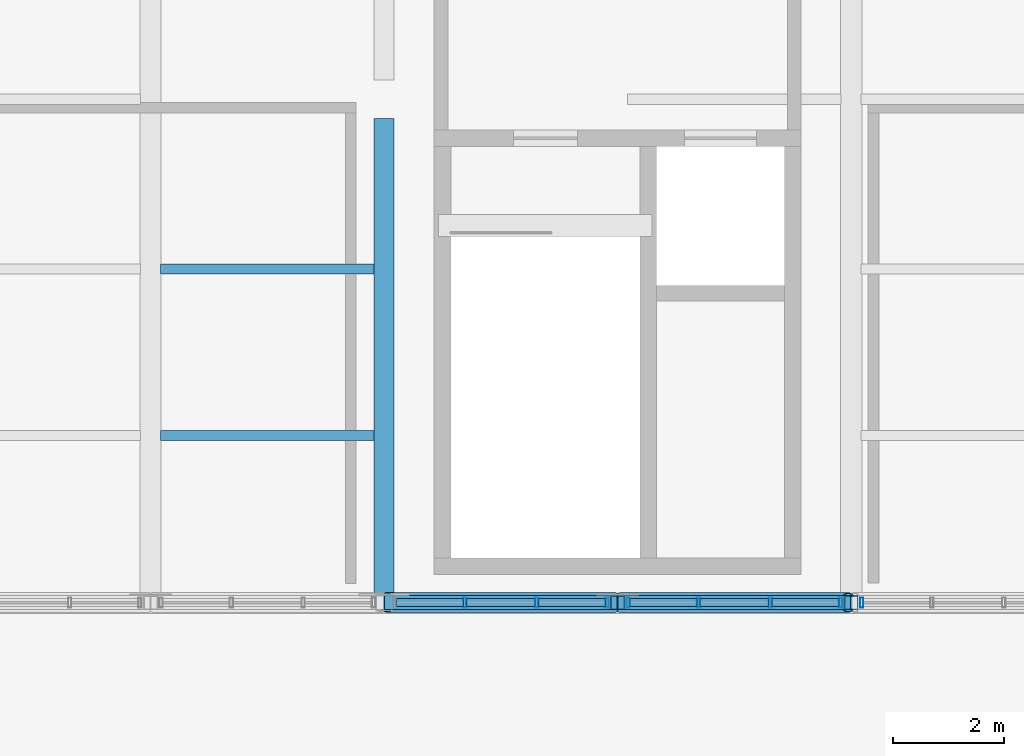
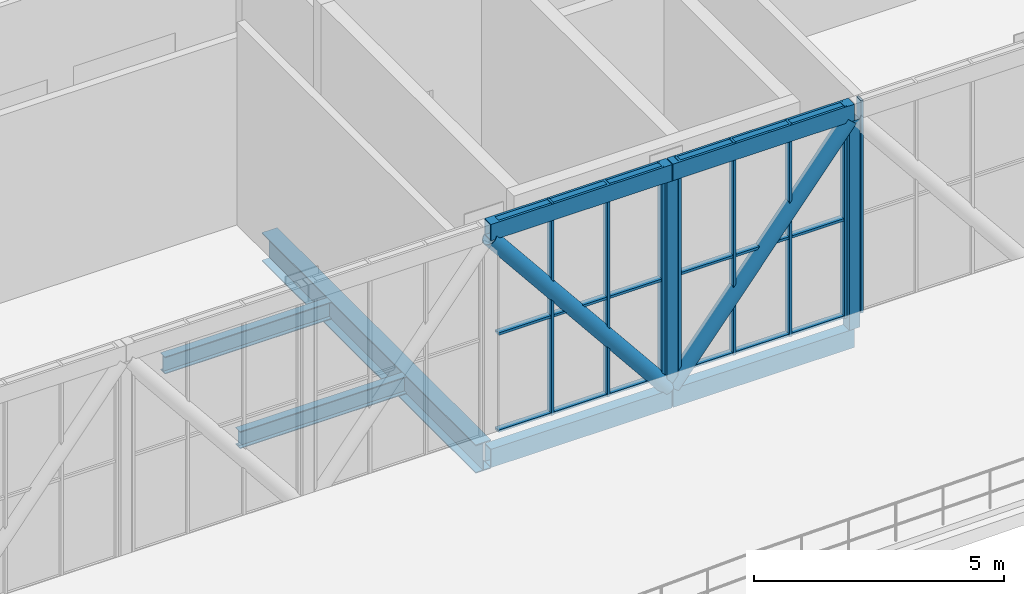
# One storey, part 18 of 58: 34 members, 3 beams, 3 elements without a shape of their own.
"""IFC4 building model written with IfcOpenShell, lengths in metres."""

from ifc_helpers import new_model, si_unit, direction, frame, origin, origin_2d, place, context, subcontext, project, spatial, hollow_rectangle, hollow_circle, i_section, extrude, material, material_profile, profile_set, type_object, element, aggregate, save


model = new_model("IFC4")

# Units and contexts
model_context = context("Model", 3, precision=1e-05, world=origin(), true_north=direction((0.0, 1.0)))
body_context = subcontext(model_context, "Body", "Model", "MODEL_VIEW")
ifc_project = project(units=[si_unit("LENGTHUNIT", "METRE"), si_unit("AREAUNIT", "SQUARE_METRE"), si_unit("VOLUMEUNIT", "CUBIC_METRE"), si_unit("PLANEANGLEUNIT", "RADIAN"), si_unit("MASSUNIT", "GRAM", prefix="KILO")], contexts=[model_context])

# Site, building, storey
site_placement = place(None, origin())
site = spatial("IfcSite", under=ifc_project, at=site_placement, CompositionType="ELEMENT")
building_placement = place(site_placement, origin())
building = spatial("IfcBuilding", under=site, at=building_placement, Name="Khurvash Pelagic Aquarium", CompositionType="ELEMENT")
storey_placement = place(building_placement, frame((0.0, 0.0, 24.60009765625)))
storey = spatial("IfcBuildingStorey", under=building, at=storey_placement, Name="L05", CompositionType="ELEMENT", Elevation=24.60009765625)

# Beam
ifc_material_1 = material(Name="Steel ASTM A992 Grade 50", Category="steel")
ifc_material_profile_1 = material_profile(ifc_material_1, i_section(OverallWidth=0.35595703125, OverallDepth=0.696044921875, WebThickness=0.015380859375, FlangeThickness=0.02490234375, at=origin_2d()), Name="W27X146")
ifc_profile_set_1 = profile_set([ifc_material_profile_1], Name="Steel ASTM A992 Grade 50")
beam_type_1 = type_object("IfcBeamType", Name="BM-09", PredefinedType="BEAM", material=ifc_profile_set_1)
beam_placement = place(storey_placement, frame((58.800048828125, 11.81005859375, -0.648193359375), z_axis=(0.0, 1.0, 0.0), x_axis=(-1.0, 0.0, 0.0)))
element("IfcBeam", 1, at=beam_placement, inside=storey, type_object=beam_type_1, Name="L05 Sky-Bar Transverse Floor Girder BM-09 N12", PredefinedType="BEAM", context=body_context, shape_type="SweptSolid", body=[
    extrude(i_section(OverallWidth=0.35595703125, OverallDepth=0.696044921875, WebThickness=0.015380859375, FlangeThickness=0.02490234375, at=origin_2d()), origin(), (0.0, 0.0, 1.0), 8.5400390625),
])

# Curtain wall, members
ifc_material_2 = material(Name="Anodised aluminium and low-E laminated glass", Category="aluminium")
curtain_wall_type = type_object("IfcCurtainWallType", Name="CW-01", PredefinedType="USERDEFINED", material=ifc_material_2)
curtain_wall_1_placement = place(storey_placement, origin())
curtain_wall_1 = element("IfcCurtainWall", 2, at=curtain_wall_1_placement, inside=storey, type_object=curtain_wall_type, Name="L05 South Sky-Bar Unitised Curtain Wall CW-01 P12", ObjectType="UNITISED CURTAIN WALL", PredefinedType="USERDEFINED")
ifc_material_3 = material(Name="Extruded aluminium AW-6063-T6", Category="aluminium")
ifc_material_profile_2 = material_profile(ifc_material_3, hollow_rectangle(XDim=0.06005859375, YDim=0.179931640625, WallThickness=0.00390625, at=origin_2d()), Name="CWM60X180X4")
ifc_profile_set_2 = profile_set([ifc_material_profile_2], Name="Extruded aluminium AW-6063-T6")
member_type_1 = type_object("IfcMemberType", Name="CM-01", PredefinedType="MULLION", material=ifc_profile_set_2)
member_1_placement = place(storey_placement, frame((60.25341796875, 11.64990234375, 0.0), z_axis=(0.0, 0.0, 1.0), x_axis=(1.0, 0.0, 0.0)))
member_1 = element("IfcMember", 3, at=member_1_placement, type_object=member_type_1, Name="CW-01 mullion 2", PredefinedType="MULLION", context=body_context, shape_type="SweptSolid", body=[
    extrude(hollow_rectangle(XDim=0.06005859375, YDim=0.179931640625, WallThickness=0.00390625, at=origin_2d()), origin(), (0.0, 0.0, 1.0), 5.179931640625),
])
member_2_placement = place(storey_placement, frame((61.546630859375, 11.64990234375, 0.0), z_axis=(0.0, 0.0, 1.0), x_axis=(1.0, 0.0, 0.0)))
member_2 = element("IfcMember", 4, at=member_2_placement, type_object=member_type_1, Name="CW-01 mullion 3", PredefinedType="MULLION", context=body_context, shape_type="SweptSolid", body=[
    extrude(hollow_rectangle(XDim=0.06005859375, YDim=0.179931640625, WallThickness=0.00390625, at=origin_2d()), origin(), (0.0, 0.0, 1.0), 5.179931640625),
])
member_3_placement = place(storey_placement, frame((62.81005859375, 11.64990234375, 0.0), z_axis=(0.0, 0.0, 1.0), x_axis=(1.0, 0.0, 0.0)))
member_3 = element("IfcMember", 5, at=member_3_placement, type_object=member_type_1, Name="CW-01 mullion 4", PredefinedType="MULLION", context=body_context, shape_type="SweptSolid", body=[
    extrude(hollow_rectangle(XDim=0.06005859375, YDim=0.179931640625, WallThickness=0.00390625, at=origin_2d()), origin(), (0.0, 0.0, 1.0), 5.179931640625),
])

curtain_wall_2_placement = place(storey_placement, origin())
curtain_wall_2 = element("IfcCurtainWall", 6, at=curtain_wall_2_placement, inside=storey, type_object=curtain_wall_type, Name="L05 South Sky-Bar Unitised Curtain Wall CW-01 P13", ObjectType="UNITISED CURTAIN WALL", PredefinedType="USERDEFINED")
member_4_placement = place(storey_placement, frame((63.18994140625, 11.64990234375, 0.0), z_axis=(0.0, 0.0, 1.0), x_axis=(1.0, 0.0, 0.0)))
member_4 = element("IfcMember", 7, at=member_4_placement, type_object=member_type_1, Name="CW-01 mullion 1", PredefinedType="MULLION", context=body_context, shape_type="SweptSolid", body=[
    extrude(hollow_rectangle(XDim=0.06005859375, YDim=0.179931640625, WallThickness=0.00390625, at=origin_2d()), origin(), (0.0, 0.0, 1.0), 5.179931640625),
])
member_5_placement = place(storey_placement, frame((64.453369140625, 11.64990234375, 0.0), z_axis=(0.0, 0.0, 1.0), x_axis=(1.0, 0.0, 0.0)))
member_5 = element("IfcMember", 8, at=member_5_placement, type_object=member_type_1, Name="CW-01 mullion 2", PredefinedType="MULLION", context=body_context, shape_type="SweptSolid", body=[
    extrude(hollow_rectangle(XDim=0.06005859375, YDim=0.179931640625, WallThickness=0.00390625, at=origin_2d()), origin(), (0.0, 0.0, 1.0), 5.179931640625),
])
member_6_placement = place(storey_placement, frame((65.74658203125, 11.64990234375, 0.0), z_axis=(0.0, 0.0, 1.0), x_axis=(1.0, 0.0, 0.0)))
member_6 = element("IfcMember", 9, at=member_6_placement, type_object=member_type_1, Name="CW-01 mullion 3", PredefinedType="MULLION", context=body_context, shape_type="SweptSolid", body=[
    extrude(hollow_rectangle(XDim=0.06005859375, YDim=0.179931640625, WallThickness=0.00390625, at=origin_2d()), origin(), (0.0, 0.0, 1.0), 5.179931640625),
])
member_7_placement = place(storey_placement, frame((67.010009765625, 11.64990234375, 0.0), z_axis=(0.0, 0.0, 1.0), x_axis=(1.0, 0.0, 0.0)))
member_7 = element("IfcMember", 10, at=member_7_placement, type_object=member_type_1, Name="CW-01 mullion 4", PredefinedType="MULLION", context=body_context, shape_type="SweptSolid", body=[
    extrude(hollow_rectangle(XDim=0.06005859375, YDim=0.179931640625, WallThickness=0.00390625, at=origin_2d()), origin(), (0.0, 0.0, 1.0), 5.179931640625),
])

# Curtain wall, member
curtain_wall_3_placement = place(storey_placement, origin())
curtain_wall_3 = element("IfcCurtainWall", 11, at=curtain_wall_3_placement, inside=storey, type_object=curtain_wall_type, Name="L05 South Sky-Bar Unitised Curtain Wall CW-01 P14", ObjectType="UNITISED CURTAIN WALL", PredefinedType="USERDEFINED")
member_8_placement = place(storey_placement, frame((67.389892578125, 11.64990234375, 0.0), z_axis=(0.0, 0.0, 1.0), x_axis=(1.0, 0.0, 0.0)))
member_8 = element("IfcMember", 12, at=member_8_placement, type_object=member_type_1, Name="CW-01 mullion 1", PredefinedType="MULLION", context=body_context, shape_type="SweptSolid", body=[
    extrude(hollow_rectangle(XDim=0.06005859375, YDim=0.179931640625, WallThickness=0.00390625, at=origin_2d()), origin(), (0.0, 0.0, 1.0), 5.179931640625),
])
aggregate(curtain_wall_3, [member_8])

# Member
ifc_material_profile_3 = material_profile(ifc_material_3, hollow_rectangle(XDim=0.139892578125, YDim=0.06005859375, WallThickness=0.00390625, at=origin_2d()), Name="CWT140X60X4")
ifc_profile_set_3 = profile_set([ifc_material_profile_3], Name="Extruded aluminium AW-6063-T6")
member_type_2 = type_object("IfcMemberType", Name="CT-01", PredefinedType="USERDEFINED", material=ifc_profile_set_3)
member_9_placement = place(storey_placement, frame((59.02001953125, 11.64990234375, 0.02978515625), z_axis=(1.0, 0.0, 0.0), x_axis=(0.0, 1.0, 0.0)))
member_9 = element("IfcMember", 13, at=member_9_placement, type_object=member_type_2, Name="CW-01 transom 1.1", ObjectType="TRANSOM", PredefinedType="USERDEFINED", context=body_context, shape_type="SweptSolid", body=[
    extrude(hollow_rectangle(XDim=0.139892578125, YDim=0.06005859375, WallThickness=0.00390625, at=origin_2d()), origin(), (0.0, 0.0, 1.0), 1.203369140625),
])

member_10_placement = place(storey_placement, frame((59.02001953125, 11.64990234375, 2.39990234375), z_axis=(1.0, 0.0, 0.0), x_axis=(0.0, 1.0, 0.0)))
member_10 = element("IfcMember", 14, at=member_10_placement, type_object=member_type_2, Name="CW-01 transom 1.2", ObjectType="TRANSOM", PredefinedType="USERDEFINED", context=body_context, shape_type="SweptSolid", body=[
    extrude(hollow_rectangle(XDim=0.139892578125, YDim=0.06005859375, WallThickness=0.00390625, at=origin_2d()), origin(), (0.0, 0.0, 1.0), 1.203369140625),
])

member_11_placement = place(storey_placement, frame((59.02001953125, 11.64990234375, 5.14990234375), z_axis=(1.0, 0.0, 0.0), x_axis=(0.0, 1.0, 0.0)))
member_11 = element("IfcMember", 15, at=member_11_placement, type_object=member_type_2, Name="CW-01 transom 1.3", ObjectType="TRANSOM", PredefinedType="USERDEFINED", context=body_context, shape_type="SweptSolid", body=[
    extrude(hollow_rectangle(XDim=0.139892578125, YDim=0.06005859375, WallThickness=0.00390625, at=origin_2d()), origin(), (0.0, 0.0, 1.0), 1.203369140625),
])

member_12_placement = place(storey_placement, frame((60.283447265625, 11.64990234375, 0.02978515625), z_axis=(1.0, 0.0, 0.0), x_axis=(0.0, 1.0, 0.0)))
member_12 = element("IfcMember", 16, at=member_12_placement, type_object=member_type_2, Name="CW-01 transom 2.1", ObjectType="TRANSOM", PredefinedType="USERDEFINED", context=body_context, shape_type="SweptSolid", body=[
    extrude(hollow_rectangle(XDim=0.139892578125, YDim=0.06005859375, WallThickness=0.00390625, at=origin_2d()), origin(), (0.0, 0.0, 1.0), 1.233154296875),
])

member_13_placement = place(storey_placement, frame((60.283447265625, 11.64990234375, 2.39990234375), z_axis=(1.0, 0.0, 0.0), x_axis=(0.0, 1.0, 0.0)))
member_13 = element("IfcMember", 17, at=member_13_placement, type_object=member_type_2, Name="CW-01 transom 2.2", ObjectType="TRANSOM", PredefinedType="USERDEFINED", context=body_context, shape_type="SweptSolid", body=[
    extrude(hollow_rectangle(XDim=0.139892578125, YDim=0.06005859375, WallThickness=0.00390625, at=origin_2d()), origin(), (0.0, 0.0, 1.0), 1.233154296875),
])

member_14_placement = place(storey_placement, frame((60.283447265625, 11.64990234375, 5.14990234375), z_axis=(1.0, 0.0, 0.0), x_axis=(0.0, 1.0, 0.0)))
member_14 = element("IfcMember", 18, at=member_14_placement, type_object=member_type_2, Name="CW-01 transom 2.3", ObjectType="TRANSOM", PredefinedType="USERDEFINED", context=body_context, shape_type="SweptSolid", body=[
    extrude(hollow_rectangle(XDim=0.139892578125, YDim=0.06005859375, WallThickness=0.00390625, at=origin_2d()), origin(), (0.0, 0.0, 1.0), 1.233154296875),
])

member_15_placement = place(storey_placement, frame((61.57666015625, 11.64990234375, 0.02978515625), z_axis=(1.0, 0.0, 0.0), x_axis=(0.0, 1.0, 0.0)))
member_15 = element("IfcMember", 19, at=member_15_placement, type_object=member_type_2, Name="CW-01 transom 3.1", ObjectType="TRANSOM", PredefinedType="USERDEFINED", context=body_context, shape_type="SweptSolid", body=[
    extrude(hollow_rectangle(XDim=0.139892578125, YDim=0.06005859375, WallThickness=0.00390625, at=origin_2d()), origin(), (0.0, 0.0, 1.0), 1.203369140625),
])

member_16_placement = place(storey_placement, frame((61.57666015625, 11.64990234375, 2.39990234375), z_axis=(1.0, 0.0, 0.0), x_axis=(0.0, 1.0, 0.0)))
member_16 = element("IfcMember", 20, at=member_16_placement, type_object=member_type_2, Name="CW-01 transom 3.2", ObjectType="TRANSOM", PredefinedType="USERDEFINED", context=body_context, shape_type="SweptSolid", body=[
    extrude(hollow_rectangle(XDim=0.139892578125, YDim=0.06005859375, WallThickness=0.00390625, at=origin_2d()), origin(), (0.0, 0.0, 1.0), 1.203369140625),
])

member_17_placement = place(storey_placement, frame((61.57666015625, 11.64990234375, 5.14990234375), z_axis=(1.0, 0.0, 0.0), x_axis=(0.0, 1.0, 0.0)))
member_17 = element("IfcMember", 21, at=member_17_placement, type_object=member_type_2, Name="CW-01 transom 3.3", ObjectType="TRANSOM", PredefinedType="USERDEFINED", context=body_context, shape_type="SweptSolid", body=[
    extrude(hollow_rectangle(XDim=0.139892578125, YDim=0.06005859375, WallThickness=0.00390625, at=origin_2d()), origin(), (0.0, 0.0, 1.0), 1.203369140625),
])

aggregate(curtain_wall_1, [member_1, member_2, member_3, member_9, member_10, member_11, member_12, member_13, member_14, member_15, member_16, member_17])

member_18_placement = place(storey_placement, frame((63.219970703125, 11.64990234375, 0.02978515625), z_axis=(1.0, 0.0, 0.0), x_axis=(0.0, 1.0, 0.0)))
member_18 = element("IfcMember", 22, at=member_18_placement, type_object=member_type_2, Name="CW-01 transom 1.1", ObjectType="TRANSOM", PredefinedType="USERDEFINED", context=body_context, shape_type="SweptSolid", body=[
    extrude(hollow_rectangle(XDim=0.139892578125, YDim=0.06005859375, WallThickness=0.00390625, at=origin_2d()), origin(), (0.0, 0.0, 1.0), 1.203369140625),
])

member_19_placement = place(storey_placement, frame((63.219970703125, 11.64990234375, 2.39990234375), z_axis=(1.0, 0.0, 0.0), x_axis=(0.0, 1.0, 0.0)))
member_19 = element("IfcMember", 23, at=member_19_placement, type_object=member_type_2, Name="CW-01 transom 1.2", ObjectType="TRANSOM", PredefinedType="USERDEFINED", context=body_context, shape_type="SweptSolid", body=[
    extrude(hollow_rectangle(XDim=0.139892578125, YDim=0.06005859375, WallThickness=0.00390625, at=origin_2d()), origin(), (0.0, 0.0, 1.0), 1.203369140625),
])

member_20_placement = place(storey_placement, frame((63.219970703125, 11.64990234375, 5.14990234375), z_axis=(1.0, 0.0, 0.0), x_axis=(0.0, 1.0, 0.0)))
member_20 = element("IfcMember", 24, at=member_20_placement, type_object=member_type_2, Name="CW-01 transom 1.3", ObjectType="TRANSOM", PredefinedType="USERDEFINED", context=body_context, shape_type="SweptSolid", body=[
    extrude(hollow_rectangle(XDim=0.139892578125, YDim=0.06005859375, WallThickness=0.00390625, at=origin_2d()), origin(), (0.0, 0.0, 1.0), 1.203369140625),
])

member_21_placement = place(storey_placement, frame((64.4833984375, 11.64990234375, 0.02978515625), z_axis=(1.0, 0.0, 0.0), x_axis=(0.0, 1.0, 0.0)))
member_21 = element("IfcMember", 25, at=member_21_placement, type_object=member_type_2, Name="CW-01 transom 2.1", ObjectType="TRANSOM", PredefinedType="USERDEFINED", context=body_context, shape_type="SweptSolid", body=[
    extrude(hollow_rectangle(XDim=0.139892578125, YDim=0.06005859375, WallThickness=0.00390625, at=origin_2d()), origin(), (0.0, 0.0, 1.0), 1.233154296875),
])

member_22_placement = place(storey_placement, frame((64.4833984375, 11.64990234375, 2.39990234375), z_axis=(1.0, 0.0, 0.0), x_axis=(0.0, 1.0, 0.0)))
member_22 = element("IfcMember", 26, at=member_22_placement, type_object=member_type_2, Name="CW-01 transom 2.2", ObjectType="TRANSOM", PredefinedType="USERDEFINED", context=body_context, shape_type="SweptSolid", body=[
    extrude(hollow_rectangle(XDim=0.139892578125, YDim=0.06005859375, WallThickness=0.00390625, at=origin_2d()), origin(), (0.0, 0.0, 1.0), 1.233154296875),
])

member_23_placement = place(storey_placement, frame((64.4833984375, 11.64990234375, 5.14990234375), z_axis=(1.0, 0.0, 0.0), x_axis=(0.0, 1.0, 0.0)))
member_23 = element("IfcMember", 27, at=member_23_placement, type_object=member_type_2, Name="CW-01 transom 2.3", ObjectType="TRANSOM", PredefinedType="USERDEFINED", context=body_context, shape_type="SweptSolid", body=[
    extrude(hollow_rectangle(XDim=0.139892578125, YDim=0.06005859375, WallThickness=0.00390625, at=origin_2d()), origin(), (0.0, 0.0, 1.0), 1.233154296875),
])

member_24_placement = place(storey_placement, frame((65.776611328125, 11.64990234375, 0.02978515625), z_axis=(1.0, 0.0, 0.0), x_axis=(0.0, 1.0, 0.0)))
member_24 = element("IfcMember", 28, at=member_24_placement, type_object=member_type_2, Name="CW-01 transom 3.1", ObjectType="TRANSOM", PredefinedType="USERDEFINED", context=body_context, shape_type="SweptSolid", body=[
    extrude(hollow_rectangle(XDim=0.139892578125, YDim=0.06005859375, WallThickness=0.00390625, at=origin_2d()), origin(), (0.0, 0.0, 1.0), 1.203369140625),
])

member_25_placement = place(storey_placement, frame((65.776611328125, 11.64990234375, 2.39990234375), z_axis=(1.0, 0.0, 0.0), x_axis=(0.0, 1.0, 0.0)))
member_25 = element("IfcMember", 29, at=member_25_placement, type_object=member_type_2, Name="CW-01 transom 3.2", ObjectType="TRANSOM", PredefinedType="USERDEFINED", context=body_context, shape_type="SweptSolid", body=[
    extrude(hollow_rectangle(XDim=0.139892578125, YDim=0.06005859375, WallThickness=0.00390625, at=origin_2d()), origin(), (0.0, 0.0, 1.0), 1.203369140625),
])

member_26_placement = place(storey_placement, frame((65.776611328125, 11.64990234375, 5.14990234375), z_axis=(1.0, 0.0, 0.0), x_axis=(0.0, 1.0, 0.0)))
member_26 = element("IfcMember", 30, at=member_26_placement, type_object=member_type_2, Name="CW-01 transom 3.3", ObjectType="TRANSOM", PredefinedType="USERDEFINED", context=body_context, shape_type="SweptSolid", body=[
    extrude(hollow_rectangle(XDim=0.139892578125, YDim=0.06005859375, WallThickness=0.00390625, at=origin_2d()), origin(), (0.0, 0.0, 1.0), 1.203369140625),
])

aggregate(curtain_wall_2, [member_4, member_5, member_6, member_7, member_18, member_19, member_20, member_21, member_22, member_23, member_24, member_25, member_26])

# Beams
ifc_material_profile_4 = material_profile(ifc_material_1, i_section(OverallWidth=0.180908203125, OverallDepth=0.4169921875, WebThickness=0.010986328125, FlangeThickness=0.018310546875, at=origin_2d()), Name="W16X57")
ifc_profile_set_4 = profile_set([ifc_material_profile_4], Name="Steel ASTM A992 Grade 50")
beam_type_2 = type_object("IfcBeamType", Name="JS-03", PredefinedType="JOIST", material=ifc_profile_set_4)
for number, where, z_axis, x_axis, name in (
    (31, (54.780029296875, 14.64990234375, -0.508544921875), (1.0, 0.0, 0.0), (0.0, 1.0, 0.0), "L05 Sky-Bar Floor Joist JS-03 P11"),
    (32, (54.780029296875, 17.64990234375, -0.508544921875), (1.0, 0.0, 0.0), (0.0, 1.0, 0.0), "L05 Sky-Bar Floor Joist JS-03 P11"),
):
    element("IfcBeam", number, at=place(storey_placement, frame(where, z_axis=z_axis, x_axis=x_axis)), inside=storey, type_object=beam_type_2, Name=name, PredefinedType="JOIST", context=body_context, shape_type="SweptSolid", body=[
        extrude(i_section(OverallWidth=0.180908203125, OverallDepth=0.4169921875, WebThickness=0.010986328125, FlangeThickness=0.018310546875, at=origin_2d()), origin(), (0.0, 0.0, 1.0), 3.840087890625),
    ])

# Members
ifc_material_4 = material(Name="Steel S355J2", Category="steel")
ifc_material_profile_5 = material_profile(ifc_material_4, hollow_rectangle(XDim=0.25, YDim=0.449951171875, WallThickness=0.02001953125, at=origin_2d()), Name="RHS450X250X20")
ifc_profile_set_5 = profile_set([ifc_material_profile_5], Name="Steel S355J2")
member_type_3 = type_object("IfcMemberType", Name="TC-01", PredefinedType="CHORD", material=ifc_profile_set_5)
for number, where, z_axis, x_axis, name in (
    (33, (58.81005859375, 11.64990234375, -0.525146484375), (1.0, 0.0, 0.0), (0.0, 1.0, 0.0), "L05 South Sky-Bar Warren Truss Bottom Chord TC-01 P12"),
    (34, (63.010009765625, 11.64990234375, -0.525146484375), (1.0, 0.0, 0.0), (0.0, 1.0, 0.0), "L05 South Sky-Bar Warren Truss Bottom Chord TC-01 P13"),
):
    element("IfcMember", number, at=place(storey_placement, frame(where, z_axis=z_axis, x_axis=x_axis)), inside=storey, type_object=member_type_3, Name=name, PredefinedType="CHORD", context=body_context, shape_type="SweptSolid", body=[
        extrude(hollow_rectangle(XDim=0.25, YDim=0.449951171875, WallThickness=0.02001953125, at=origin_2d()), origin(), (0.0, 0.0, 1.0), 4.179931640625),
    ])
ifc_material_profile_6 = material_profile(ifc_material_4, hollow_rectangle(XDim=0.25, YDim=0.39990234375, WallThickness=0.01611328125, at=origin_2d()), Name="RHS400X250X16")
ifc_profile_set_6 = profile_set([ifc_material_profile_6], Name="Steel S355J2")
member_type_4 = type_object("IfcMemberType", Name="TC-02", PredefinedType="CHORD", material=ifc_profile_set_6)
for number, where, z_axis, x_axis, name in (
    (35, (58.81005859375, 11.64990234375, 4.97998046875), (1.0, 0.0, 0.0), (0.0, 1.0, 0.0), "L05 South Sky-Bar Warren Truss Top Chord TC-02 P12"),
    (36, (63.010009765625, 11.64990234375, 4.97998046875), (1.0, 0.0, 0.0), (0.0, 1.0, 0.0), "L05 South Sky-Bar Warren Truss Top Chord TC-02 P13"),
):
    element("IfcMember", number, at=place(storey_placement, frame(where, z_axis=z_axis, x_axis=x_axis)), inside=storey, type_object=member_type_4, Name=name, PredefinedType="CHORD", context=body_context, shape_type="SweptSolid", body=[
        extrude(hollow_rectangle(XDim=0.25, YDim=0.39990234375, WallThickness=0.01611328125, at=origin_2d()), origin(), (0.0, 0.0, 1.0), 4.179931640625),
    ])
ifc_material_profile_7 = material_profile(ifc_material_4, hollow_circle(Radius=0.177734375, WallThickness=0.01416015625, at=origin_2d()), Name="CHS355X14")
ifc_profile_set_7 = profile_set([ifc_material_profile_7], Name="Steel S355J2")
member_type_5 = type_object("IfcMemberType", Name="TD-02", PredefinedType="BRACE", material=ifc_profile_set_7)
for number, where, z_axis, x_axis, name in (
    (37, (58.85009765625, 11.64990234375, 4.77978515625), (0.628050658275, 0.0, -0.778172455591), (0.0, 1.0, 0.0), "L05 South Sky-Bar Warren Truss Diagonal TD-02 P12"),
    (38, (63.050048828125, 11.64990234375, -0.300048828125), (0.628050658275, 0.0, 0.778172455591), (0.0, 1.0, 0.0), "L05 South Sky-Bar Warren Truss Diagonal TD-02 P13"),
):
    element("IfcMember", number, at=place(storey_placement, frame(where, z_axis=z_axis, x_axis=x_axis)), inside=storey, type_object=member_type_5, Name=name, PredefinedType="BRACE", context=body_context, shape_type="SweptSolid", body=[
        extrude(hollow_circle(Radius=0.177734375, WallThickness=0.01416015625, at=origin_2d()), origin(), (0.0, 0.0, 1.0), 6.52783203125),
    ])
ifc_material_profile_8 = material_profile(ifc_material_4, hollow_rectangle(XDim=0.25, YDim=0.25, WallThickness=0.012451171875, at=origin_2d()), Name="SHS250X250X12")
ifc_profile_set_8 = profile_set([ifc_material_profile_8], Name="Steel S355J2")
member_type_6 = type_object("IfcMemberType", Name="TV-02", PredefinedType="POST", material=ifc_profile_set_8)
for number, where, z_axis, x_axis, name in (
    (39, (63.0, 11.64990234375, -0.300048828125), (0.0, 0.0, 1.0), (1.0, 0.0, 0.0), "L05 South Sky-Bar Truss Post TV-02 N13"),
    (40, (67.199951171875, 11.64990234375, -0.300048828125), (0.0, 0.0, 1.0), (1.0, 0.0, 0.0), "L05 South Sky-Bar Truss Post TV-02 N14"),
):
    element("IfcMember", number, at=place(storey_placement, frame(where, z_axis=z_axis, x_axis=x_axis)), inside=storey, type_object=member_type_6, Name=name, PredefinedType="POST", context=body_context, shape_type="SweptSolid", body=[
        extrude(hollow_rectangle(XDim=0.25, YDim=0.25, WallThickness=0.012451171875, at=origin_2d()), origin(), (0.0, 0.0, 1.0), 5.079833984375),
    ])

save(model, "model.ifc")
